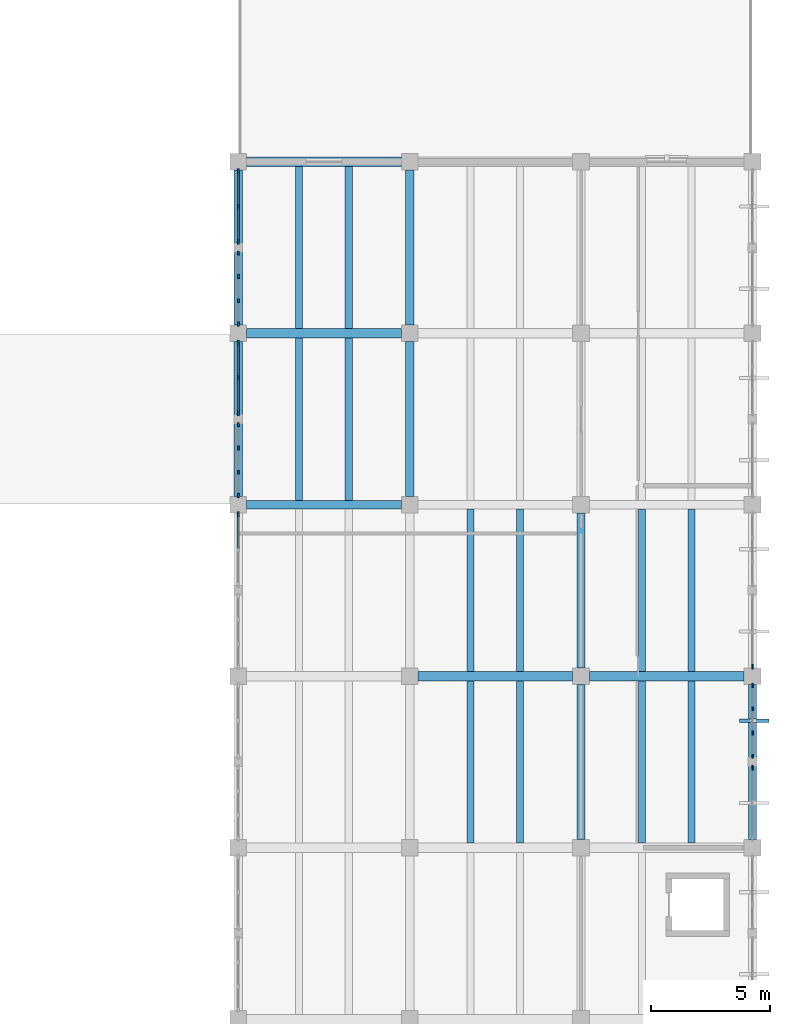
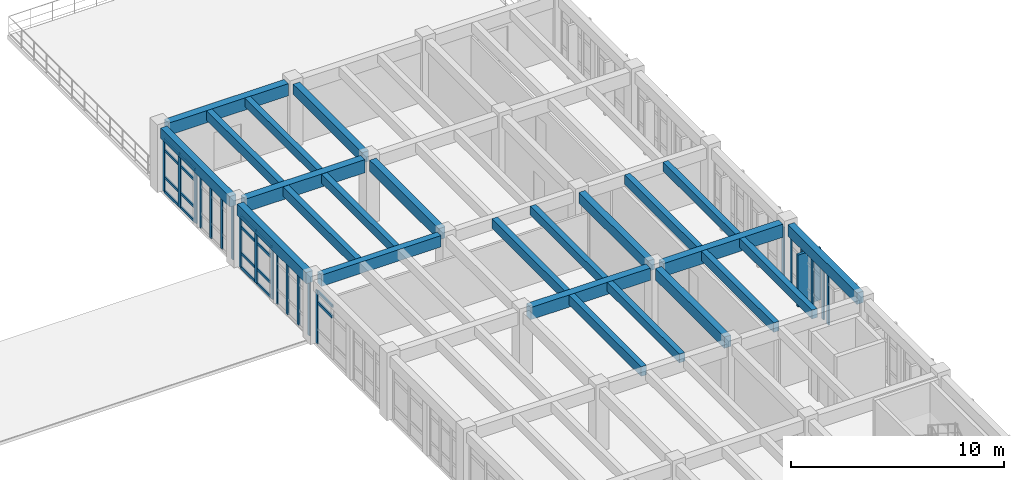
# One storey, part 15 of 54: 40 members, 24 beams, 8 elements without a shape of their own.
"""IFC4 building model written with IfcOpenShell, lengths in metres."""

import ifcopenshell
import ifcopenshell.guid

model = None  # the IFC model being written
_history = None  # IfcOwnerHistory: only IFC2X3 demands one
_inside = {}  # id of a spatial element -> (the spatial element, [elements in it])
_under = {}  # id of a project, library or spatial element -> (it, [spatial elements below it])
_declared = {}  # id of a project -> (the project, [libraries it declares])
_typed = {}  # id of a type object -> (the type object, [elements of that type])
_made_of = {}  # id of a material, layer set ... -> (it, [elements and type objects made of it])


def new_model(schema):
    """Start an empty IFC model of exactly this schema.

    Asked for "IFC4X3", IfcOpenShell would pick the latest addendum, in which some entities
    have other attributes; the version numbers below select the first issue.
    IFC2X3 requires an IfcOwnerHistory on every rooted entity: one is made here for all.
    """
    global model, _history
    if schema == "IFC4X3":
        model = ifcopenshell.file(schema_version=(4, 3, 0, 0))
    else:
        model = ifcopenshell.file(schema=schema)
    _inside.clear()
    _under.clear()
    _declared.clear()
    _typed.clear()
    _made_of.clear()
    _history = None
    if model.schema == "IFC2X3":
        org = make("IfcOrganization", Name="unknown")
        user = make(
            "IfcPersonAndOrganization",
            ThePerson=make("IfcPerson", FamilyName="unknown"),
            TheOrganization=org,
        )
        app = make(
            "IfcApplication",
            ApplicationDeveloper=org,
            Version="unknown",
            ApplicationFullName="unknown",
            ApplicationIdentifier="unknown",
        )
        _history = make(
            "IfcOwnerHistory",
            OwningUser=user,
            OwningApplication=app,
            ChangeAction="ADDED",
            CreationDate=0,
        )
    return model


def make(cls, **values):
    """One entity of the class cls with the attributes given. An attribute that is None is left unset."""
    return model.create_entity(
        cls, **{name: value for name, value in values.items() if value is not None}
    )


def rooted(cls, **values):
    """An entity with a GlobalId (a new one), such as an element, a storey or a relation."""
    return make(cls, GlobalId=ifcopenshell.guid.new(), OwnerHistory=_history, **values)


def si_unit(unit_type, name, prefix=None):
    """IfcSIUnit, for example si_unit("LENGTHUNIT", "METRE", prefix="MILLI")."""
    return make("IfcSIUnit", UnitType=unit_type, Prefix=prefix, Name=name)


def assignment(units):
    """IfcUnitAssignment: the units of a project."""
    return None if units is None else make("IfcUnitAssignment", Units=units)


def point(xyz):
    """IfcCartesianPoint."""
    return None if xyz is None else make("IfcCartesianPoint", Coordinates=xyz)


def direction(xyz):
    """IfcDirection."""
    return None if xyz is None else make("IfcDirection", DirectionRatios=xyz)


def frame(location, z_axis=None, x_axis=None):
    """IfcAxis2Placement3D, a coordinate frame: its origin and axes. An axis left out is left unset."""
    return make(
        "IfcAxis2Placement3D",
        Location=point(location),
        Axis=direction(z_axis),
        RefDirection=direction(x_axis),
    )


def frame_2d(location, x_axis=None):
    """IfcAxis2Placement2D, a coordinate frame in the plane: its origin and x axis."""
    return make(
        "IfcAxis2Placement2D", Location=point(location), RefDirection=direction(x_axis)
    )


def origin():
    """The frame at (0, 0, 0) with its axes left unset."""
    return frame((0.0, 0.0, 0.0))


def origin_2d():
    """The frame at (0, 0) in the plane with its x axis left unset."""
    return frame_2d((0.0, 0.0))


def place(relative_to, where):
    """IfcLocalPlacement: puts the frame where relative to a parent placement (None: the world)."""
    return make(
        "IfcLocalPlacement", PlacementRelTo=relative_to, RelativePlacement=where
    )


def context(
    kind, dimensions, precision=None, world=None, true_north=None, identifier=None
):
    """IfcGeometricRepresentationContext, for example the 3D "Model" context."""
    return make(
        "IfcGeometricRepresentationContext",
        ContextIdentifier=identifier,
        ContextType=kind,
        CoordinateSpaceDimension=dimensions,
        Precision=precision,
        WorldCoordinateSystem=world,
        TrueNorth=true_north,
    )


def subcontext(parent, identifier, kind, view, scale=None):
    """IfcGeometricRepresentationSubContext, for example "Body" below "Model"."""
    return make(
        "IfcGeometricRepresentationSubContext",
        ContextIdentifier=identifier,
        ContextType=kind,
        ParentContext=parent,
        TargetScale=scale,
        TargetView=view,
    )


def project(units=None, contexts=None):
    """IfcProject with its units and contexts."""
    return rooted(
        "IfcProject",
        Name="project",
        RepresentationContexts=contexts,
        UnitsInContext=assignment(units),
    )


def spatial(cls, under=None, at=None, **own):
    """A site, building, storey or space (cls), placed at a placement, below another one or the project."""
    s = rooted(cls, ObjectPlacement=at, **own)
    if under is not None:
        _under.setdefault(under.id(), (under, []))[1].append(s)
    return s


def profile(cls, at=None, kind="AREA", **sizes):
    """A parametric profile (cls). Its sizes go by their IFC names, for example OverallWidth=200.0."""
    return make(cls, ProfileType=kind, Position=at, **sizes)


def rectangle(**sizes):
    """IfcRectangleProfileDef."""
    return profile("IfcRectangleProfileDef", **sizes)


def extrude(swept, where, along, depth):
    """IfcExtrudedAreaSolid: the profile swept, set in the frame where, extruded along a direction by depth."""
    return make(
        "IfcExtrudedAreaSolid",
        SweptArea=swept,
        Position=where,
        ExtrudedDirection=direction(along),
        Depth=depth,
    )


def shape(context_of_items, identifier, shape_type, items):
    """IfcShapeRepresentation: the items that make up one representation, for example the "Body"."""
    return make(
        "IfcShapeRepresentation",
        ContextOfItems=context_of_items,
        RepresentationIdentifier=identifier,
        RepresentationType=shape_type,
        Items=items,
    )


def material(Name=None, Category=None):
    """IfcMaterial."""
    return make("IfcMaterial", Name=Name, Category=Category)


def layer(
    of_material, thickness, ventilated=None, Name=None, Category=None, Priority=None
):
    """IfcMaterialLayer: one layer of a wall or slab, of a material (None: an air gap)."""
    return make(
        "IfcMaterialLayer",
        Material=of_material,
        LayerThickness=thickness,
        IsVentilated=ventilated,
        Name=Name,
        Category=Category,
        Priority=Priority,
    )


def layer_set(layers, Name=None):
    """IfcMaterialLayerSet."""
    return make("IfcMaterialLayerSet", MaterialLayers=layers, LayerSetName=Name)


def material_profile(
    of_material, cross_section, Name=None, Category=None, Priority=None
):
    """IfcMaterialProfile: a cross section and its material."""
    return make(
        "IfcMaterialProfile",
        Name=Name,
        Material=of_material,
        Profile=cross_section,
        Priority=Priority,
        Category=Category,
    )


def profile_set(profiles, Name=None, composite=None):
    """IfcMaterialProfileSet."""
    return make(
        "IfcMaterialProfileSet",
        Name=Name,
        MaterialProfiles=profiles,
        CompositeProfile=composite,
    )


def made_of(thing, what):
    """Note that an element or type object is made of a material, layer set ...; save() writes the relation."""
    if what is not None:
        _made_of.setdefault(what.id(), (what, []))[1].append(thing)
    return thing


def type_object(cls, material=None, **own):
    """A type object (cls), such as IfcWallType, which elements share."""
    return made_of(rooted(cls, **own), material)


def element(
    cls,
    number,
    at=None,
    inside=None,
    cuts=None,
    type_object=None,
    material=None,
    context=None,
    identifier="Body",
    shape_type=None,
    held_by="IfcProductDefinitionShape",
    body=None,
    shapes=None,
    **own,
):
    """One element of the class cls, such as IfcWall. Its Tag is "e" and its number.

    at: its placement. inside: the storey or other place that contains it. cuts: it is an
    opening in that element (IfcRelVoidsElement). A single representation is given by context,
    identifier, shape_type and body (its items); several are given by shapes. held_by: the class
    of the entity that holds the representations. save() writes the other relations.
    """
    e = rooted(cls, Tag="e%d" % number, ObjectPlacement=at, **own)
    if body is not None:
        shapes = [shape(context, identifier, shape_type, body)]
    if shapes is not None:
        e.Representation = make(held_by, Representations=shapes)
    if inside is not None:
        _inside.setdefault(inside.id(), (inside, []))[1].append(e)
    if cuts is not None:
        rooted(
            "IfcRelVoidsElement", RelatingBuildingElement=cuts, RelatedOpeningElement=e
        )
    if type_object is not None:
        _typed.setdefault(type_object.id(), (type_object, []))[1].append(e)
    return made_of(e, material)


def aggregate(whole, parts):
    """IfcRelAggregates: a whole, such as a stair, and the parts it consists of."""
    return rooted("IfcRelAggregates", RelatingObject=whole, RelatedObjects=parts)


def save(model, path):
    """Write the relations noted so far, then the file.

    IfcRelAggregates (storeys below a building ...), IfcRelContainedInSpatialStructure (elements
    in a storey), IfcRelDefinesByType, IfcRelAssociatesMaterial and IfcRelDeclares: one each for
    every whole, place, type object, material and project.
    """
    for whole, parts in _under.values():
        aggregate(whole, parts)
    for where, things in _inside.values():
        rooted(
            "IfcRelContainedInSpatialStructure",
            RelatedElements=things,
            RelatingStructure=where,
        )
    for kind, things in _typed.values():
        rooted("IfcRelDefinesByType", RelatedObjects=things, RelatingType=kind)
    for what, things in _made_of.values():
        rooted("IfcRelAssociatesMaterial", RelatedObjects=things, RelatingMaterial=what)
    for by, libraries in _declared.values():
        rooted("IfcRelDeclares", RelatingContext=by, RelatedDefinitions=libraries)
    model.write(path)


model = new_model("IFC4")

# Units and contexts
model_context = context("Model", 3, precision=1e-05, world=origin(), true_north=direction((0.0, 1.0)))
body_context = subcontext(model_context, "Body", "Model", "MODEL_VIEW")
ifc_project = project(units=[si_unit("LENGTHUNIT", "METRE"), si_unit("AREAUNIT", "SQUARE_METRE"), si_unit("VOLUMEUNIT", "CUBIC_METRE"), si_unit("PLANEANGLEUNIT", "RADIAN"), si_unit("MASSUNIT", "GRAM", prefix="KILO")], contexts=[model_context])

# Site, building, storey
site_placement = place(None, origin())
site = spatial("IfcSite", under=ifc_project, at=site_placement, CompositionType="ELEMENT")
building_placement = place(site_placement, origin())
building = spatial("IfcBuilding", under=site, at=building_placement, Name="Koriwan Promenade Central Fire Station", CompositionType="ELEMENT")
storey_placement = place(building_placement, frame((0.0, 0.0, 9.60009765625)))
storey = spatial("IfcBuildingStorey", under=building, at=storey_placement, Name="L02", CompositionType="ELEMENT", Elevation=9.60009765625)

# Beams
ifc_material_1 = material(Name="Concrete C35/45", Category="concrete")
ifc_material_profile_1 = material_profile(ifc_material_1, rectangle(XDim=0.300048828125, YDim=0.5, at=origin_2d()), Name="RC-BM-300x500")
ifc_profile_set_1 = profile_set([ifc_material_profile_1], Name="Concrete C35/45")
beam_type_1 = type_object("IfcBeamType", Name="Beam_RC-BM-300x500", PredefinedType="JOIST", material=ifc_profile_set_1)
for number, where, z_axis, x_axis, name in (
    (1, (163.0400390625, 29.0, 3.39990234375), (0.0, 1.0, 0.0), (-1.0, 0.0, 0.0), "V5 L02 secondary joist 839"),
    (2, (170.239990234375, 29.0, 3.39990234375), (0.0, 1.0, 0.0), (-1.0, 0.0, 0.0), "V5 L02 secondary joist 841"),
):
    element("IfcBeam", number, at=place(storey_placement, frame(where, z_axis=z_axis, x_axis=x_axis)), inside=storey, type_object=beam_type_1, Name=name, PredefinedType="JOIST", context=body_context, shape_type="SweptSolid", body=[
        extrude(rectangle(XDim=0.300048828125, YDim=0.5, at=origin_2d()), origin(), (0.0, 0.0, 1.0), 6.800048828125),
    ])
for number, where, z_axis, x_axis, name in (
    (3, (163.0400390625, 36.199951171875, 3.39990234375), (0.0, 1.0, 0.0), (-1.0, 0.0, 0.0), "V5 L02 secondary joist 845"),
    (4, (170.239990234375, 36.199951171875, 3.39990234375), (0.0, 1.0, 0.0), (-1.0, 0.0, 0.0), "V5 L02 secondary joist 847"),
    (5, (155.840087890625, 43.375, 3.39990234375), (0.0, 1.0, 0.0), (-1.0, 0.0, 0.0), "V5 L02 secondary joist 849"),
):
    element("IfcBeam", number, at=place(storey_placement, frame(where, z_axis=z_axis, x_axis=x_axis)), inside=storey, type_object=beam_type_1, Name=name, PredefinedType="JOIST", context=body_context, shape_type="SweptSolid", body=[
        extrude(rectangle(XDim=0.300048828125, YDim=0.5, at=origin_2d()), origin(), (0.0, 0.0, 1.0), 6.824951171875),
    ])
beam_1_placement = place(storey_placement, frame((155.840087890625, 50.60009765625, 3.409912109375), z_axis=(0.0, 1.0, 0.0), x_axis=(-1.0, 0.0, 0.0)))
element("IfcBeam", 6, at=beam_1_placement, inside=storey, type_object=beam_type_1, Name="V5 L02 secondary joist 855", PredefinedType="JOIST", context=body_context, shape_type="SweptSolid", body=[
    extrude(rectangle(XDim=0.300048828125, YDim=0.5, at=origin_2d()), origin(), (0.0, 0.0, 1.0), 6.7998046875),
])
ifc_material_profile_2 = material_profile(ifc_material_1, rectangle(XDim=0.300048828125, YDim=0.550048828125, at=origin_2d()), Name="RC-BM-300x550")
ifc_profile_set_2 = profile_set([ifc_material_profile_2], Name="Concrete C35/45")
beam_type_2 = type_object("IfcBeamType", Name="Beam_RC-BM-300x550", PredefinedType="JOIST", material=ifc_profile_set_2)
for number, where, z_axis, x_axis, name in (
    (7, (160.9599609375, 29.0, 3.375), (0.0, 1.0, 0.0), (-1.0, 0.0, 0.0), "V5 L02 secondary joist 838"),
    (8, (168.159912109375, 29.0, 3.375), (0.0, 1.0, 0.0), (-1.0, 0.0, 0.0), "V5 L02 secondary joist 840"),
):
    element("IfcBeam", number, at=place(storey_placement, frame(where, z_axis=z_axis, x_axis=x_axis)), inside=storey, type_object=beam_type_2, Name=name, PredefinedType="JOIST", context=body_context, shape_type="SweptSolid", body=[
        extrude(rectangle(XDim=0.300048828125, YDim=0.550048828125, at=origin_2d()), origin(), (0.0, 0.0, 1.0), 6.800048828125),
    ])
for number, where, z_axis, x_axis, name in (
    (9, (160.9599609375, 36.199951171875, 3.375), (0.0, 1.0, 0.0), (-1.0, 0.0, 0.0), "V5 L02 secondary joist 844"),
    (10, (168.159912109375, 36.199951171875, 3.375), (0.0, 1.0, 0.0), (-1.0, 0.0, 0.0), "V5 L02 secondary joist 846"),
    (11, (153.760009765625, 43.375, 3.375), (0.0, 1.0, 0.0), (-1.0, 0.0, 0.0), "V5 L02 secondary joist 848"),
):
    element("IfcBeam", number, at=place(storey_placement, frame(where, z_axis=z_axis, x_axis=x_axis)), inside=storey, type_object=beam_type_2, Name=name, PredefinedType="JOIST", context=body_context, shape_type="SweptSolid", body=[
        extrude(rectangle(XDim=0.300048828125, YDim=0.550048828125, at=origin_2d()), origin(), (0.0, 0.0, 1.0), 6.824951171875),
    ])
beam_2_placement = place(storey_placement, frame((153.760009765625, 50.60009765625, 3.385009765625), z_axis=(0.0, 1.0, 0.0), x_axis=(-1.0, 0.0, 0.0)))
element("IfcBeam", 12, at=beam_2_placement, inside=storey, type_object=beam_type_2, Name="V5 L02 secondary joist 854", PredefinedType="JOIST", context=body_context, shape_type="SweptSolid", body=[
    extrude(rectangle(XDim=0.300048828125, YDim=0.550048828125, at=origin_2d()), origin(), (0.0, 0.0, 1.0), 6.7998046875),
])
ifc_material_profile_3 = material_profile(ifc_material_1, rectangle(XDim=0.35009765625, YDim=0.60009765625, at=origin_2d()), Name="RC-BM-350x600")
ifc_profile_set_3 = profile_set([ifc_material_profile_3], Name="Concrete C35/45")
beam_type_3 = type_object("IfcBeamType", Name="Beam_RC-BM-350x600", PredefinedType="BEAM", material=ifc_profile_set_3)
for number, where, z_axis, x_axis, name in (
    (13, (151.199951171875, 50.75, 3.35986328125), (0.0, 1.0, 0.0), (-1.0, 0.0, 0.0), "V5 L02 girder Y-792"),
    (14, (158.39990234375, 50.75, 3.35986328125), (0.0, 1.0, 0.0), (-1.0, 0.0, 0.0), "V5 L02 girder Y-800"),
    (15, (165.60009765625, 36.35009765625, 3.349853515625), (0.0, 1.0, 0.0), (-1.0, 0.0, 0.0), "V5 L02 girder Y-806"),
):
    element("IfcBeam", number, at=place(storey_placement, frame(where, z_axis=z_axis, x_axis=x_axis)), inside=storey, type_object=beam_type_3, Name=name, PredefinedType="BEAM", context=body_context, shape_type="SweptSolid", body=[
        extrude(rectangle(XDim=0.35009765625, YDim=0.60009765625, at=origin_2d()), origin(), (0.0, 0.0, 1.0), 6.5),
    ])
ifc_material_profile_4 = material_profile(ifc_material_1, rectangle(XDim=0.35009765625, YDim=0.64990234375, at=origin_2d()), Name="RC-BM-350x650")
ifc_profile_set_4 = profile_set([ifc_material_profile_4], Name="Concrete C35/45")
beam_type_4 = type_object("IfcBeamType", Name="Beam_RC-BM-350x650", PredefinedType="BEAM", material=ifc_profile_set_4)
for number, where, z_axis, x_axis, name in (
    (16, (151.199951171875, 43.550048828125, 3.3349609375), (0.0, 1.0, 0.0), (-1.0, 0.0, 0.0), "V5 L02 girder Y-791"),
    (17, (158.39990234375, 43.550048828125, 3.3349609375), (0.0, 1.0, 0.0), (-1.0, 0.0, 0.0), "V5 L02 girder Y-799"),
    (18, (165.60009765625, 29.14990234375, 3.324951171875), (0.0, 1.0, 0.0), (-1.0, 0.0, 0.0), "V5 L02 girder Y-805"),
    (19, (172.800048828125, 29.14990234375, 3.324951171875), (0.0, 1.0, 0.0), (-1.0, 0.0, 0.0), "V5 L02 girder Y-813"),
):
    element("IfcBeam", number, at=place(storey_placement, frame(where, z_axis=z_axis, x_axis=x_axis)), inside=storey, type_object=beam_type_4, Name=name, PredefinedType="BEAM", context=body_context, shape_type="SweptSolid", body=[
        extrude(rectangle(XDim=0.35009765625, YDim=0.64990234375, at=origin_2d()), origin(), (0.0, 0.0, 1.0), 6.5),
    ])
ifc_material_profile_5 = material_profile(ifc_material_1, rectangle(XDim=0.39990234375, YDim=0.699951171875, at=origin_2d()), Name="RC-BM-400x700")
ifc_profile_set_5 = profile_set([ifc_material_profile_5], Name="Concrete C35/45")
beam_type_5 = type_object("IfcBeamType", Name="Beam_RC-BM-400x700", PredefinedType="BEAM", material=ifc_profile_set_5)
for number, where, z_axis, x_axis, name in (
    (20, (158.75, 36.0, 3.2998046875), (1.0, 0.0, 0.0), (0.0, 1.0, 0.0), "V5 L02 girder X-772"),
    (21, (151.550048828125, 57.60009765625, 3.309814453125), (1.0, 0.0, 0.0), (0.0, 1.0, 0.0), "V5 L02 girder X-780"),
):
    element("IfcBeam", number, at=place(storey_placement, frame(where, z_axis=z_axis, x_axis=x_axis)), inside=storey, type_object=beam_type_5, Name=name, PredefinedType="BEAM", context=body_context, shape_type="SweptSolid", body=[
        extrude(rectangle(XDim=0.39990234375, YDim=0.699951171875, at=origin_2d()), origin(), (0.0, 0.0, 1.0), 6.5),
    ])
ifc_material_profile_6 = material_profile(ifc_material_1, rectangle(XDim=0.39990234375, YDim=0.75, at=origin_2d()), Name="RC-BM-400x750")
ifc_profile_set_6 = profile_set([ifc_material_profile_6], Name="Concrete C35/45")
beam_type_6 = type_object("IfcBeamType", Name="Beam_RC-BM-400x750", PredefinedType="BEAM", material=ifc_profile_set_6)
for number, where, z_axis, x_axis, name in (
    (22, (165.949951171875, 36.0, 3.27490234375), (1.0, 0.0, 0.0), (0.0, 1.0, 0.0), "V5 L02 girder X-773"),
    (23, (151.550048828125, 50.39990234375, 3.284912109375), (1.0, 0.0, 0.0), (0.0, 1.0, 0.0), "V5 L02 girder X-777"),
):
    element("IfcBeam", number, at=place(storey_placement, frame(where, z_axis=z_axis, x_axis=x_axis)), inside=storey, type_object=beam_type_6, Name=name, PredefinedType="BEAM", context=body_context, shape_type="SweptSolid", body=[
        extrude(rectangle(XDim=0.39990234375, YDim=0.75, at=origin_2d()), origin(), (0.0, 0.0, 1.0), 6.5),
    ])
ifc_material_profile_7 = material_profile(ifc_material_1, rectangle(XDim=0.35009765625, YDim=0.64990234375, at=origin_2d()), Name="RC-SP-350x650")
ifc_profile_set_7 = profile_set([ifc_material_profile_7], Name="Concrete C35/45")
beam_type_7 = type_object("IfcBeamType", Name="Beam_RC-SP-350x650", PredefinedType="SPANDREL", material=ifc_profile_set_7)
beam_3_placement = place(storey_placement, frame((151.550048828125, 43.199951171875, 3.324951171875), z_axis=(1.0, 0.0, 0.0), x_axis=(0.0, 1.0, 0.0)))
element("IfcBeam", 24, at=beam_3_placement, inside=storey, type_object=beam_type_7, Name="V5 L02 girder X-774", PredefinedType="SPANDREL", context=body_context, shape_type="SweptSolid", body=[
    extrude(rectangle(XDim=0.35009765625, YDim=0.64990234375, at=origin_2d()), origin(), (0.0, 0.0, 1.0), 6.5),
])

# Curtain wall, members
ifc_material_2 = material(Name="Aluminium EN AW-6063-T6 and low-E glazing", Category="aluminium")
ifc_layer_1 = layer(ifc_material_2, 0.159912109375, Name="Aluminium EN AW-6063-T6 and low-E glazing")
ifc_layer_set_1 = layer_set([ifc_layer_1], Name="Aluminium EN AW-6063-T6 and low-E glazing")
curtain_wall_type_1 = type_object("IfcCurtainWallType", Name="CurtainWall_74_305x300", PredefinedType="USERDEFINED", material=ifc_layer_set_1)
curtain_wall_1_placement = place(storey_placement, origin())
curtain_wall_1 = element("IfcCurtainWall", 25, at=curtain_wall_1_placement, inside=storey, type_object=curtain_wall_type_1, Name="V5 L02 unitised curtain wall 231", ObjectType="UNITISED CURTAIN WALL", PredefinedType="USERDEFINED")
ifc_material_3 = material(Name="Aluminium EN AW-6063-T6", Category="aluminium")
ifc_material_profile_8 = material_profile(ifc_material_3, rectangle(XDim=0.074951171875, YDim=0.179931640625, at=origin_2d()), Name="ALU-MUL-75x180")
ifc_profile_set_8 = profile_set([ifc_material_profile_8], Name="Aluminium EN AW-6063-T6")
member_type_1 = type_object("IfcMemberType", Name="CWMullion_ALU-MUL-75x180", PredefinedType="MULLION", material=ifc_profile_set_8)
member_1_placement = place(storey_placement, frame((151.199951171875, 43.58740234375, 0.0), z_axis=(0.0, 0.0, 1.0), x_axis=(-1.0, 0.0, 0.0)))
member_1 = element("IfcMember", 26, at=member_1_placement, type_object=member_type_1, Name="CW-74 mullion 1", PredefinedType="MULLION", context=body_context, shape_type="SweptSolid", body=[
    extrude(rectangle(XDim=0.074951171875, YDim=0.179931640625, at=origin_2d()), origin(), (0.0, 0.0, 1.0), 3.0),
])
member_2_placement = place(storey_placement, frame((151.199951171875, 44.566650390625, 0.0), z_axis=(0.0, 0.0, 1.0), x_axis=(-1.0, 0.0, 0.0)))
member_2 = element("IfcMember", 27, at=member_2_placement, type_object=member_type_1, Name="CW-74 mullion 2", PredefinedType="MULLION", context=body_context, shape_type="SweptSolid", body=[
    extrude(rectangle(XDim=0.074951171875, YDim=0.179931640625, at=origin_2d()), origin(), (0.0, 0.0, 1.0), 3.0),
])
member_3_placement = place(storey_placement, frame((151.199951171875, 45.583251953125, 0.0), z_axis=(0.0, 0.0, 1.0), x_axis=(-1.0, 0.0, 0.0)))
member_3 = element("IfcMember", 28, at=member_3_placement, type_object=member_type_1, Name="CW-74 mullion 3", PredefinedType="MULLION", context=body_context, shape_type="SweptSolid", body=[
    extrude(rectangle(XDim=0.074951171875, YDim=0.179931640625, at=origin_2d()), origin(), (0.0, 0.0, 1.0), 3.0),
])
member_4_placement = place(storey_placement, frame((151.199951171875, 46.5625, 0.0), z_axis=(0.0, 0.0, 1.0), x_axis=(-1.0, 0.0, 0.0)))
member_4 = element("IfcMember", 29, at=member_4_placement, type_object=member_type_1, Name="CW-74 mullion 4", PredefinedType="MULLION", context=body_context, shape_type="SweptSolid", body=[
    extrude(rectangle(XDim=0.074951171875, YDim=0.179931640625, at=origin_2d()), origin(), (0.0, 0.0, 1.0), 3.0),
])
aggregate(curtain_wall_1, [member_1, member_2, member_3, member_4])

ifc_layer_2 = layer(ifc_material_2, 0.159912109375, Name="Aluminium EN AW-6063-T6 and low-E glazing")
ifc_layer_set_2 = layer_set([ifc_layer_2], Name="Aluminium EN AW-6063-T6 and low-E glazing")
curtain_wall_type_2 = type_object("IfcCurtainWallType", Name="CurtainWall_76_305x305", PredefinedType="USERDEFINED", material=ifc_layer_set_2)
curtain_wall_2_placement = place(storey_placement, origin())
curtain_wall_2 = element("IfcCurtainWall", 30, at=curtain_wall_2_placement, inside=storey, type_object=curtain_wall_type_2, Name="V5 L02 unitised curtain wall 233", ObjectType="UNITISED CURTAIN WALL", PredefinedType="USERDEFINED")
member_5_placement = place(storey_placement, frame((151.199951171875, 50.78759765625, 0.0), z_axis=(0.0, 0.0, 1.0), x_axis=(-1.0, 0.0, 0.0)))
member_5 = element("IfcMember", 31, at=member_5_placement, type_object=member_type_1, Name="CW-76 mullion 1", PredefinedType="MULLION", context=body_context, shape_type="SweptSolid", body=[
    extrude(rectangle(XDim=0.074951171875, YDim=0.179931640625, at=origin_2d()), origin(), (0.0, 0.0, 1.0), 3.0498046875),
])
member_6_placement = place(storey_placement, frame((151.199951171875, 51.7666015625, 0.0), z_axis=(0.0, 0.0, 1.0), x_axis=(-1.0, 0.0, 0.0)))
member_6 = element("IfcMember", 32, at=member_6_placement, type_object=member_type_1, Name="CW-76 mullion 2", PredefinedType="MULLION", context=body_context, shape_type="SweptSolid", body=[
    extrude(rectangle(XDim=0.074951171875, YDim=0.179931640625, at=origin_2d()), origin(), (0.0, 0.0, 1.0), 3.0498046875),
])
member_7_placement = place(storey_placement, frame((151.199951171875, 52.783447265625, 0.0), z_axis=(0.0, 0.0, 1.0), x_axis=(-1.0, 0.0, 0.0)))
member_7 = element("IfcMember", 33, at=member_7_placement, type_object=member_type_1, Name="CW-76 mullion 3", PredefinedType="MULLION", context=body_context, shape_type="SweptSolid", body=[
    extrude(rectangle(XDim=0.074951171875, YDim=0.179931640625, at=origin_2d()), origin(), (0.0, 0.0, 1.0), 3.0498046875),
])
member_8_placement = place(storey_placement, frame((151.199951171875, 53.762451171875, 0.0), z_axis=(0.0, 0.0, 1.0), x_axis=(-1.0, 0.0, 0.0)))
member_8 = element("IfcMember", 34, at=member_8_placement, type_object=member_type_1, Name="CW-76 mullion 4", PredefinedType="MULLION", context=body_context, shape_type="SweptSolid", body=[
    extrude(rectangle(XDim=0.074951171875, YDim=0.179931640625, at=origin_2d()), origin(), (0.0, 0.0, 1.0), 3.0498046875),
])
aggregate(curtain_wall_2, [member_5, member_6, member_7, member_8])

ifc_layer_3 = layer(ifc_material_2, 0.159912109375, Name="Aluminium EN AW-6063-T6 and low-E glazing")
ifc_layer_set_3 = layer_set([ifc_layer_3], Name="Aluminium EN AW-6063-T6 and low-E glazing")
curtain_wall_type_3 = type_object("IfcCurtainWallType", Name="CurtainWall_73_305x299", PredefinedType="USERDEFINED", material=ifc_layer_set_3)
curtain_wall_3_placement = place(storey_placement, origin())
curtain_wall_3 = element("IfcCurtainWall", 35, at=curtain_wall_3_placement, inside=storey, type_object=curtain_wall_type_3, Name="V5 L02 unitised curtain wall 241", ObjectType="UNITISED CURTAIN WALL", PredefinedType="USERDEFINED")
member_9_placement = place(storey_placement, frame((172.800048828125, 35.612548828125, 0.0), z_axis=(0.0, 0.0, 1.0), x_axis=(1.0, 0.0, 0.0)))
member_9 = element("IfcMember", 36, at=member_9_placement, type_object=member_type_1, Name="CW-73 mullion 1", PredefinedType="MULLION", context=body_context, shape_type="SweptSolid", body=[
    extrude(rectangle(XDim=0.074951171875, YDim=0.179931640625, at=origin_2d()), origin(), (0.0, 0.0, 1.0), 2.989990234375),
])
member_10_placement = place(storey_placement, frame((172.800048828125, 34.63330078125, 0.0), z_axis=(0.0, 0.0, 1.0), x_axis=(1.0, 0.0, 0.0)))
member_10 = element("IfcMember", 37, at=member_10_placement, type_object=member_type_1, Name="CW-73 mullion 2", PredefinedType="MULLION", context=body_context, shape_type="SweptSolid", body=[
    extrude(rectangle(XDim=0.074951171875, YDim=0.179931640625, at=origin_2d()), origin(), (0.0, 0.0, 1.0), 2.989990234375),
])
member_11_placement = place(storey_placement, frame((172.800048828125, 33.61669921875, 0.0), z_axis=(0.0, 0.0, 1.0), x_axis=(1.0, 0.0, 0.0)))
member_11 = element("IfcMember", 38, at=member_11_placement, type_object=member_type_1, Name="CW-73 mullion 3", PredefinedType="MULLION", context=body_context, shape_type="SweptSolid", body=[
    extrude(rectangle(XDim=0.074951171875, YDim=0.179931640625, at=origin_2d()), origin(), (0.0, 0.0, 1.0), 2.989990234375),
])
member_12_placement = place(storey_placement, frame((172.800048828125, 32.637451171875, 0.0), z_axis=(0.0, 0.0, 1.0), x_axis=(1.0, 0.0, 0.0)))
member_12 = element("IfcMember", 39, at=member_12_placement, type_object=member_type_1, Name="CW-73 mullion 4", PredefinedType="MULLION", context=body_context, shape_type="SweptSolid", body=[
    extrude(rectangle(XDim=0.074951171875, YDim=0.179931640625, at=origin_2d()), origin(), (0.0, 0.0, 1.0), 2.989990234375),
])
aggregate(curtain_wall_3, [member_9, member_10, member_11, member_12])

# Curtain wall, member
ifc_layer_4 = layer(ifc_material_2, 0.159912109375, Name="Aluminium EN AW-6063-T6 and low-E glazing")
ifc_layer_set_4 = layer_set([ifc_layer_4], Name="Aluminium EN AW-6063-T6 and low-E glazing")
curtain_wall_type_4 = type_object("IfcCurtainWallType", Name="CurtainWall_81_305x304", PredefinedType="USERDEFINED", material=ifc_layer_set_4)
curtain_wall_4_placement = place(storey_placement, origin())
curtain_wall_4 = element("IfcCurtainWall", 40, at=curtain_wall_4_placement, inside=storey, type_object=curtain_wall_type_4, Name="V5 L02 unitised curtain wall 230", ObjectType="UNITISED CURTAIN WALL", PredefinedType="USERDEFINED")
ifc_material_profile_9 = material_profile(ifc_material_3, rectangle(XDim=0.080078125, YDim=0.2099609375, at=origin_2d()), Name="ALU-MUL-80x210")
ifc_profile_set_9 = profile_set([ifc_material_profile_9], Name="Aluminium EN AW-6063-T6")
member_type_2 = type_object("IfcMemberType", Name="CWMullion_ALU-MUL-80x210", PredefinedType="MULLION", material=ifc_profile_set_9)
member_13_placement = place(storey_placement, frame((151.199951171875, 42.81005859375, 0.0), z_axis=(0.0, 0.0, 1.0), x_axis=(-1.0, 0.0, 0.0)))
member_13 = element("IfcMember", 41, at=member_13_placement, type_object=member_type_2, Name="CW-81 mullion 3", PredefinedType="MULLION", context=body_context, shape_type="SweptSolid", body=[
    extrude(rectangle(XDim=0.080078125, YDim=0.2099609375, at=origin_2d()), origin(), (0.0, 0.0, 1.0), 3.039794921875),
])

# Curtain wall, members
ifc_layer_5 = layer(ifc_material_2, 0.159912109375, Name="Aluminium EN AW-6063-T6 and low-E glazing")
ifc_layer_set_5 = layer_set([ifc_layer_5], Name="Aluminium EN AW-6063-T6 and low-E glazing")
curtain_wall_type_5 = type_object("IfcCurtainWallType", Name="CurtainWall_75_305x300", PredefinedType="USERDEFINED", material=ifc_layer_set_5)
curtain_wall_5_placement = place(storey_placement, origin())
curtain_wall_5 = element("IfcCurtainWall", 42, at=curtain_wall_5_placement, inside=storey, type_object=curtain_wall_type_5, Name="V5 L02 unitised curtain wall 232", ObjectType="UNITISED CURTAIN WALL", PredefinedType="USERDEFINED")
member_14_placement = place(storey_placement, frame((151.199951171875, 47.0400390625, 0.0), z_axis=(0.0, 0.0, 1.0), x_axis=(-1.0, 0.0, 0.0)))
member_14 = element("IfcMember", 43, at=member_14_placement, type_object=member_type_2, Name="CW-75 mullion 1", PredefinedType="MULLION", context=body_context, shape_type="SweptSolid", body=[
    extrude(rectangle(XDim=0.080078125, YDim=0.2099609375, at=origin_2d()), origin(), (0.0, 0.0, 1.0), 3.0),
])
member_15_placement = place(storey_placement, frame((151.199951171875, 48.52490234375, 0.0), z_axis=(0.0, 0.0, 1.0), x_axis=(-1.0, 0.0, 0.0)))
member_15 = element("IfcMember", 44, at=member_15_placement, type_object=member_type_2, Name="CW-75 mullion 2", PredefinedType="MULLION", context=body_context, shape_type="SweptSolid", body=[
    extrude(rectangle(XDim=0.080078125, YDim=0.2099609375, at=origin_2d()), origin(), (0.0, 0.0, 1.0), 3.0),
])
member_16_placement = place(storey_placement, frame((151.199951171875, 50.010009765625, 0.0), z_axis=(0.0, 0.0, 1.0), x_axis=(-1.0, 0.0, 0.0)))
member_16 = element("IfcMember", 45, at=member_16_placement, type_object=member_type_2, Name="CW-75 mullion 3", PredefinedType="MULLION", context=body_context, shape_type="SweptSolid", body=[
    extrude(rectangle(XDim=0.080078125, YDim=0.2099609375, at=origin_2d()), origin(), (0.0, 0.0, 1.0), 3.0),
])

ifc_layer_6 = layer(ifc_material_2, 0.159912109375, Name="Aluminium EN AW-6063-T6 and low-E glazing")
ifc_layer_set_6 = layer_set([ifc_layer_6], Name="Aluminium EN AW-6063-T6 and low-E glazing")
curtain_wall_type_6 = type_object("IfcCurtainWallType", Name="CurtainWall_77_305x305", PredefinedType="USERDEFINED", material=ifc_layer_set_6)
curtain_wall_6_placement = place(storey_placement, origin())
curtain_wall_6 = element("IfcCurtainWall", 46, at=curtain_wall_6_placement, inside=storey, type_object=curtain_wall_type_6, Name="V5 L02 unitised curtain wall 234", ObjectType="UNITISED CURTAIN WALL", PredefinedType="USERDEFINED")
member_17_placement = place(storey_placement, frame((151.199951171875, 54.239990234375, 0.0), z_axis=(0.0, 0.0, 1.0), x_axis=(-1.0, 0.0, 0.0)))
member_17 = element("IfcMember", 47, at=member_17_placement, type_object=member_type_2, Name="CW-77 mullion 1", PredefinedType="MULLION", context=body_context, shape_type="SweptSolid", body=[
    extrude(rectangle(XDim=0.080078125, YDim=0.2099609375, at=origin_2d()), origin(), (0.0, 0.0, 1.0), 3.0498046875),
])
member_18_placement = place(storey_placement, frame((151.199951171875, 55.72509765625, 0.0), z_axis=(0.0, 0.0, 1.0), x_axis=(-1.0, 0.0, 0.0)))
member_18 = element("IfcMember", 48, at=member_18_placement, type_object=member_type_2, Name="CW-77 mullion 2", PredefinedType="MULLION", context=body_context, shape_type="SweptSolid", body=[
    extrude(rectangle(XDim=0.080078125, YDim=0.2099609375, at=origin_2d()), origin(), (0.0, 0.0, 1.0), 3.0498046875),
])
member_19_placement = place(storey_placement, frame((151.199951171875, 57.2099609375, 0.0), z_axis=(0.0, 0.0, 1.0), x_axis=(-1.0, 0.0, 0.0)))
member_19 = element("IfcMember", 49, at=member_19_placement, type_object=member_type_2, Name="CW-77 mullion 3", PredefinedType="MULLION", context=body_context, shape_type="SweptSolid", body=[
    extrude(rectangle(XDim=0.080078125, YDim=0.2099609375, at=origin_2d()), origin(), (0.0, 0.0, 1.0), 3.0498046875),
])

# Curtain wall, member
curtain_wall_7_placement = place(storey_placement, origin())
curtain_wall_7 = element("IfcCurtainWall", 50, at=curtain_wall_7_placement, inside=storey, type_object=curtain_wall_type_4, Name="V5 L02 unitised curtain wall 240", ObjectType="UNITISED CURTAIN WALL", PredefinedType="USERDEFINED")
member_20_placement = place(storey_placement, frame((172.800048828125, 36.389892578125, 0.0), z_axis=(0.0, 0.0, 1.0), x_axis=(1.0, 0.0, 0.0)))
member_20 = element("IfcMember", 51, at=member_20_placement, type_object=member_type_2, Name="CW-81 mullion 3", PredefinedType="MULLION", context=body_context, shape_type="SweptSolid", body=[
    extrude(rectangle(XDim=0.080078125, YDim=0.2099609375, at=origin_2d()), origin(), (0.0, 0.0, 1.0), 3.039794921875),
])
aggregate(curtain_wall_7, [member_20])

ifc_layer_7 = layer(ifc_material_2, 0.159912109375, Name="Aluminium EN AW-6063-T6 and low-E glazing")
ifc_layer_set_7 = layer_set([ifc_layer_7], Name="Aluminium EN AW-6063-T6 and low-E glazing")
curtain_wall_type_7 = type_object("IfcCurtainWallType", Name="CurtainWall_10_305x299", PredefinedType="USERDEFINED", material=ifc_layer_set_7)
curtain_wall_8_placement = place(storey_placement, origin())
curtain_wall_8 = element("IfcCurtainWall", 52, at=curtain_wall_8_placement, inside=storey, type_object=curtain_wall_type_7, Name="V5 L02 unitised curtain wall 242", ObjectType="UNITISED CURTAIN WALL", PredefinedType="USERDEFINED")
member_21_placement = place(storey_placement, frame((172.800048828125, 32.159912109375, 0.0), z_axis=(0.0, 0.0, 1.0), x_axis=(1.0, 0.0, 0.0)))
member_21 = element("IfcMember", 53, at=member_21_placement, type_object=member_type_2, Name="CW-10 mullion 1", PredefinedType="MULLION", context=body_context, shape_type="SweptSolid", body=[
    extrude(rectangle(XDim=0.080078125, YDim=0.2099609375, at=origin_2d()), origin(), (0.0, 0.0, 1.0), 2.989990234375),
])
aggregate(curtain_wall_8, [member_21])

# Member
ifc_material_profile_10 = material_profile(ifc_material_3, rectangle(XDim=0.080078125, YDim=0.155029296875, at=origin_2d()), Name="ALU-TRN-80x155")
ifc_profile_set_10 = profile_set([ifc_material_profile_10], Name="Aluminium EN AW-6063-T6")
member_type_3 = type_object("IfcMemberType", Name="CWTransom_ALU-TRN-80x155", PredefinedType="USERDEFINED", material=ifc_profile_set_10)
member_22_placement = place(storey_placement, frame((151.199951171875, 41.364990234375, 2.389892578125), z_axis=(0.0, 1.0, 0.0), x_axis=(-1.0, 0.0, 0.0)))
member_22 = element("IfcMember", 54, at=member_22_placement, type_object=member_type_3, Name="CW-81 transom 2.3", ObjectType="TRANSOM", PredefinedType="USERDEFINED", context=body_context, shape_type="SweptSolid", body=[
    extrude(rectangle(XDim=0.080078125, YDim=0.155029296875, at=origin_2d()), origin(), (0.0, 0.0, 1.0), 1.405029296875),
])

member_23_placement = place(storey_placement, frame((151.199951171875, 41.364990234375, 3.0), z_axis=(0.0, 1.0, 0.0), x_axis=(-1.0, 0.0, 0.0)))
member_23 = element("IfcMember", 55, at=member_23_placement, type_object=member_type_3, Name="CW-81 transom 2.4", ObjectType="TRANSOM", PredefinedType="USERDEFINED", context=body_context, shape_type="SweptSolid", body=[
    extrude(rectangle(XDim=0.080078125, YDim=0.155029296875, at=origin_2d()), origin(), (0.0, 0.0, 1.0), 1.405029296875),
])

aggregate(curtain_wall_4, [member_13, member_22, member_23])

member_24_placement = place(storey_placement, frame((151.199951171875, 47.080078125, 0.039794921875), z_axis=(0.0, 1.0, 0.0), x_axis=(-1.0, 0.0, 0.0)))
member_24 = element("IfcMember", 56, at=member_24_placement, type_object=member_type_3, Name="CW-75 transom 1.1", ObjectType="TRANSOM", PredefinedType="USERDEFINED", context=body_context, shape_type="SweptSolid", body=[
    extrude(rectangle(XDim=0.080078125, YDim=0.155029296875, at=origin_2d()), origin(), (0.0, 0.0, 1.0), 1.405029296875),
])

member_25_placement = place(storey_placement, frame((151.199951171875, 47.080078125, 0.849853515625), z_axis=(0.0, 1.0, 0.0), x_axis=(-1.0, 0.0, 0.0)))
member_25 = element("IfcMember", 57, at=member_25_placement, type_object=member_type_3, Name="CW-75 transom 1.2", ObjectType="TRANSOM", PredefinedType="USERDEFINED", context=body_context, shape_type="SweptSolid", body=[
    extrude(rectangle(XDim=0.080078125, YDim=0.155029296875, at=origin_2d()), origin(), (0.0, 0.0, 1.0), 1.405029296875),
])

member_26_placement = place(storey_placement, frame((151.199951171875, 47.080078125, 2.349853515625), z_axis=(0.0, 1.0, 0.0), x_axis=(-1.0, 0.0, 0.0)))
member_26 = element("IfcMember", 58, at=member_26_placement, type_object=member_type_3, Name="CW-75 transom 1.3", ObjectType="TRANSOM", PredefinedType="USERDEFINED", context=body_context, shape_type="SweptSolid", body=[
    extrude(rectangle(XDim=0.080078125, YDim=0.155029296875, at=origin_2d()), origin(), (0.0, 0.0, 1.0), 1.405029296875),
])

member_27_placement = place(storey_placement, frame((151.199951171875, 47.080078125, 2.9599609375), z_axis=(0.0, 1.0, 0.0), x_axis=(-1.0, 0.0, 0.0)))
member_27 = element("IfcMember", 59, at=member_27_placement, type_object=member_type_3, Name="CW-75 transom 1.4", ObjectType="TRANSOM", PredefinedType="USERDEFINED", context=body_context, shape_type="SweptSolid", body=[
    extrude(rectangle(XDim=0.080078125, YDim=0.155029296875, at=origin_2d()), origin(), (0.0, 0.0, 1.0), 1.405029296875),
])

member_28_placement = place(storey_placement, frame((151.199951171875, 48.56494140625, 0.039794921875), z_axis=(0.0, 1.0, 0.0), x_axis=(-1.0, 0.0, 0.0)))
member_28 = element("IfcMember", 60, at=member_28_placement, type_object=member_type_3, Name="CW-75 transom 2.1", ObjectType="TRANSOM", PredefinedType="USERDEFINED", context=body_context, shape_type="SweptSolid", body=[
    extrude(rectangle(XDim=0.080078125, YDim=0.155029296875, at=origin_2d()), origin(), (0.0, 0.0, 1.0), 1.405029296875),
])

member_29_placement = place(storey_placement, frame((151.199951171875, 48.56494140625, 0.849853515625), z_axis=(0.0, 1.0, 0.0), x_axis=(-1.0, 0.0, 0.0)))
member_29 = element("IfcMember", 61, at=member_29_placement, type_object=member_type_3, Name="CW-75 transom 2.2", ObjectType="TRANSOM", PredefinedType="USERDEFINED", context=body_context, shape_type="SweptSolid", body=[
    extrude(rectangle(XDim=0.080078125, YDim=0.155029296875, at=origin_2d()), origin(), (0.0, 0.0, 1.0), 1.405029296875),
])

member_30_placement = place(storey_placement, frame((151.199951171875, 48.56494140625, 2.349853515625), z_axis=(0.0, 1.0, 0.0), x_axis=(-1.0, 0.0, 0.0)))
member_30 = element("IfcMember", 62, at=member_30_placement, type_object=member_type_3, Name="CW-75 transom 2.3", ObjectType="TRANSOM", PredefinedType="USERDEFINED", context=body_context, shape_type="SweptSolid", body=[
    extrude(rectangle(XDim=0.080078125, YDim=0.155029296875, at=origin_2d()), origin(), (0.0, 0.0, 1.0), 1.405029296875),
])

member_31_placement = place(storey_placement, frame((151.199951171875, 48.56494140625, 2.9599609375), z_axis=(0.0, 1.0, 0.0), x_axis=(-1.0, 0.0, 0.0)))
member_31 = element("IfcMember", 63, at=member_31_placement, type_object=member_type_3, Name="CW-75 transom 2.4", ObjectType="TRANSOM", PredefinedType="USERDEFINED", context=body_context, shape_type="SweptSolid", body=[
    extrude(rectangle(XDim=0.080078125, YDim=0.155029296875, at=origin_2d()), origin(), (0.0, 0.0, 1.0), 1.405029296875),
])

aggregate(curtain_wall_5, [member_14, member_15, member_16, member_24, member_25, member_26, member_27, member_28, member_29, member_30, member_31])

member_32_placement = place(storey_placement, frame((151.199951171875, 54.280029296875, 0.039794921875), z_axis=(0.0, 1.0, 0.0), x_axis=(-1.0, 0.0, 0.0)))
member_32 = element("IfcMember", 64, at=member_32_placement, type_object=member_type_3, Name="CW-77 transom 1.1", ObjectType="TRANSOM", PredefinedType="USERDEFINED", context=body_context, shape_type="SweptSolid", body=[
    extrude(rectangle(XDim=0.080078125, YDim=0.155029296875, at=origin_2d()), origin(), (0.0, 0.0, 1.0), 1.405029296875),
])

member_33_placement = place(storey_placement, frame((151.199951171875, 54.280029296875, 0.849853515625), z_axis=(0.0, 1.0, 0.0), x_axis=(-1.0, 0.0, 0.0)))
member_33 = element("IfcMember", 65, at=member_33_placement, type_object=member_type_3, Name="CW-77 transom 1.2", ObjectType="TRANSOM", PredefinedType="USERDEFINED", context=body_context, shape_type="SweptSolid", body=[
    extrude(rectangle(XDim=0.080078125, YDim=0.155029296875, at=origin_2d()), origin(), (0.0, 0.0, 1.0), 1.405029296875),
])

member_34_placement = place(storey_placement, frame((151.199951171875, 54.280029296875, 2.39990234375), z_axis=(0.0, 1.0, 0.0), x_axis=(-1.0, 0.0, 0.0)))
member_34 = element("IfcMember", 66, at=member_34_placement, type_object=member_type_3, Name="CW-77 transom 1.3", ObjectType="TRANSOM", PredefinedType="USERDEFINED", context=body_context, shape_type="SweptSolid", body=[
    extrude(rectangle(XDim=0.080078125, YDim=0.155029296875, at=origin_2d()), origin(), (0.0, 0.0, 1.0), 1.405029296875),
])

member_35_placement = place(storey_placement, frame((151.199951171875, 54.280029296875, 3.010009765625), z_axis=(0.0, 1.0, 0.0), x_axis=(-1.0, 0.0, 0.0)))
member_35 = element("IfcMember", 67, at=member_35_placement, type_object=member_type_3, Name="CW-77 transom 1.4", ObjectType="TRANSOM", PredefinedType="USERDEFINED", context=body_context, shape_type="SweptSolid", body=[
    extrude(rectangle(XDim=0.080078125, YDim=0.155029296875, at=origin_2d()), origin(), (0.0, 0.0, 1.0), 1.405029296875),
])

member_36_placement = place(storey_placement, frame((151.199951171875, 55.764892578125, 0.039794921875), z_axis=(0.0, 1.0, 0.0), x_axis=(-1.0, 0.0, 0.0)))
member_36 = element("IfcMember", 68, at=member_36_placement, type_object=member_type_3, Name="CW-77 transom 2.1", ObjectType="TRANSOM", PredefinedType="USERDEFINED", context=body_context, shape_type="SweptSolid", body=[
    extrude(rectangle(XDim=0.080078125, YDim=0.155029296875, at=origin_2d()), origin(), (0.0, 0.0, 1.0), 1.405029296875),
])

member_37_placement = place(storey_placement, frame((151.199951171875, 55.764892578125, 0.849853515625), z_axis=(0.0, 1.0, 0.0), x_axis=(-1.0, 0.0, 0.0)))
member_37 = element("IfcMember", 69, at=member_37_placement, type_object=member_type_3, Name="CW-77 transom 2.2", ObjectType="TRANSOM", PredefinedType="USERDEFINED", context=body_context, shape_type="SweptSolid", body=[
    extrude(rectangle(XDim=0.080078125, YDim=0.155029296875, at=origin_2d()), origin(), (0.0, 0.0, 1.0), 1.405029296875),
])

member_38_placement = place(storey_placement, frame((151.199951171875, 55.764892578125, 2.39990234375), z_axis=(0.0, 1.0, 0.0), x_axis=(-1.0, 0.0, 0.0)))
member_38 = element("IfcMember", 70, at=member_38_placement, type_object=member_type_3, Name="CW-77 transom 2.3", ObjectType="TRANSOM", PredefinedType="USERDEFINED", context=body_context, shape_type="SweptSolid", body=[
    extrude(rectangle(XDim=0.080078125, YDim=0.155029296875, at=origin_2d()), origin(), (0.0, 0.0, 1.0), 1.405029296875),
])

member_39_placement = place(storey_placement, frame((151.199951171875, 55.764892578125, 3.010009765625), z_axis=(0.0, 1.0, 0.0), x_axis=(-1.0, 0.0, 0.0)))
member_39 = element("IfcMember", 71, at=member_39_placement, type_object=member_type_3, Name="CW-77 transom 2.4", ObjectType="TRANSOM", PredefinedType="USERDEFINED", context=body_context, shape_type="SweptSolid", body=[
    extrude(rectangle(XDim=0.080078125, YDim=0.155029296875, at=origin_2d()), origin(), (0.0, 0.0, 1.0), 1.405029296875),
])

aggregate(curtain_wall_6, [member_17, member_18, member_19, member_32, member_33, member_34, member_35, member_36, member_37, member_38, member_39])

ifc_material_4 = material(Name="Aluminium EN AW-6063-T6 terracotta finish", Category="masonry")
ifc_material_profile_11 = material_profile(ifc_material_4, rectangle(XDim=0.139892578125, YDim=1.25, at=origin_2d()), Name="FIN-TRC-140x1250")
ifc_profile_set_11 = profile_set([ifc_material_profile_11], Name="Aluminium EN AW-6063-T6 terracotta finish")
member_type_4 = type_object("IfcMemberType", Name="SolarFin_FIN-TRC-140x1250", PredefinedType="USERDEFINED", material=ifc_profile_set_11)
member_40_placement = place(storey_placement, frame((172.875, 34.125, 0.0), z_axis=(0.0, 0.0, 1.0), x_axis=(0.0, -1.0, 0.0)))
element("IfcMember", 72, at=member_40_placement, inside=storey, type_object=member_type_4, Name="V5 L02 terracotta solar fin 075", ObjectType="SOLAR FIN", PredefinedType="USERDEFINED", context=body_context, shape_type="SweptSolid", body=[
    extrude(rectangle(XDim=0.139892578125, YDim=1.25, at=origin_2d()), origin(), (0.0, 0.0, 1.0), 2.989990234375),
])

save(model, "model.ifc")
